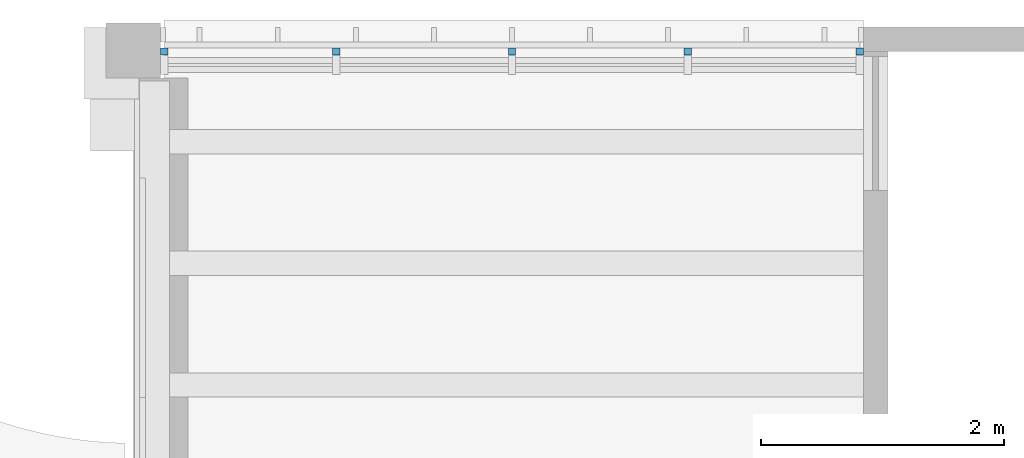
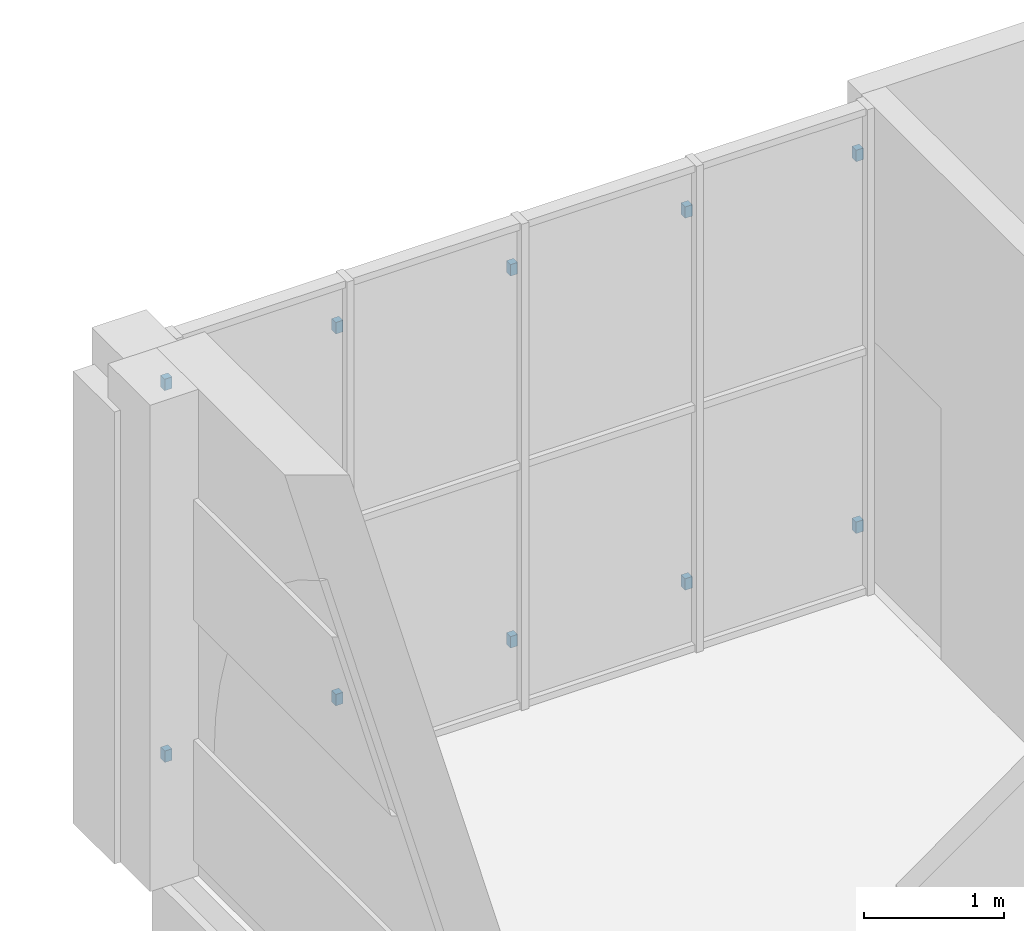
# One storey, part 52 of 70: 10 discrete accessories.
"""IFC4 building model written with IfcOpenShell, lengths in metres."""

from ifc_helpers import new_model, si_unit, direction, frame, origin, origin_2d, place, context, subcontext, project, spatial, rectangle, extrude, element, save


model = new_model("IFC4")

# Units and contexts
model_context = context("Model", 3, precision=1e-05, world=origin(), true_north=direction((0.0, 1.0)))
body_context = subcontext(model_context, "Body", "Model", "MODEL_VIEW")
ifc_project = project(units=[si_unit("LENGTHUNIT", "METRE"), si_unit("AREAUNIT", "SQUARE_METRE"), si_unit("VOLUMEUNIT", "CUBIC_METRE"), si_unit("PLANEANGLEUNIT", "RADIAN"), si_unit("MASSUNIT", "GRAM", prefix="KILO")], contexts=[model_context])

# Site, building, storey
site_placement = place(None, origin())
site = spatial("IfcSite", under=ifc_project, at=site_placement, CompositionType="ELEMENT")
building_placement = place(site_placement, origin())
building = spatial("IfcBuilding", under=site, at=building_placement, Name="Saffron Lane Theatres", CompositionType="ELEMENT")
storey_placement = place(building_placement, frame((0.0, 0.0, 12.0)))
storey = spatial("IfcBuildingStorey", under=building, at=storey_placement, Name="L02", CompositionType="ELEMENT", Elevation=12.0)

# Discrete accessories
for number, where, z_axis, x_axis, name in (
    (1, (54.255126953125, 125.739990234375, 0.449951171875), (0.0, 0.0, 1.0), (1.0, 0.0, 0.0), "Lattice bracket"),
    (2, (54.255126953125, 125.739990234375, 3.699951171875), (0.0, 0.0, 1.0), (1.0, 0.0, 0.0), "Lattice bracket"),
    (3, (55.668701171875, 125.739990234375, 0.449951171875), (0.0, 0.0, 1.0), (1.0, 0.0, 0.0), "Lattice bracket"),
    (4, (55.668701171875, 125.739990234375, 3.699951171875), (0.0, 0.0, 1.0), (1.0, 0.0, 0.0), "Lattice bracket"),
    (5, (57.112548828125, 125.739990234375, 0.449951171875), (0.0, 0.0, 1.0), (1.0, 0.0, 0.0), "Lattice bracket"),
    (6, (57.112548828125, 125.739990234375, 3.699951171875), (0.0, 0.0, 1.0), (1.0, 0.0, 0.0), "Lattice bracket"),
    (7, (58.55615234375, 125.739990234375, 0.449951171875), (0.0, 0.0, 1.0), (1.0, 0.0, 0.0), "Lattice bracket"),
    (8, (58.55615234375, 125.739990234375, 3.699951171875), (0.0, 0.0, 1.0), (1.0, 0.0, 0.0), "Lattice bracket"),
    (9, (59.969970703125, 125.739990234375, 0.449951171875), (0.0, 0.0, 1.0), (1.0, 0.0, 0.0), "Lattice bracket"),
    (10, (59.969970703125, 125.739990234375, 3.699951171875), (0.0, 0.0, 1.0), (1.0, 0.0, 0.0), "Lattice bracket"),
):
    element("IfcDiscreteAccessory", number, at=place(storey_placement, frame(where, z_axis=z_axis, x_axis=x_axis)), inside=storey, Name=name, PredefinedType="BRACKET", context=body_context, shape_type="SweptSolid", body=[
        extrude(rectangle(XDim=0.06005859375, YDim=0.06005859375, at=origin_2d()), origin(), (0.0, 0.0, 1.0), 0.10009765625),
    ])

save(model, "model.ifc")
